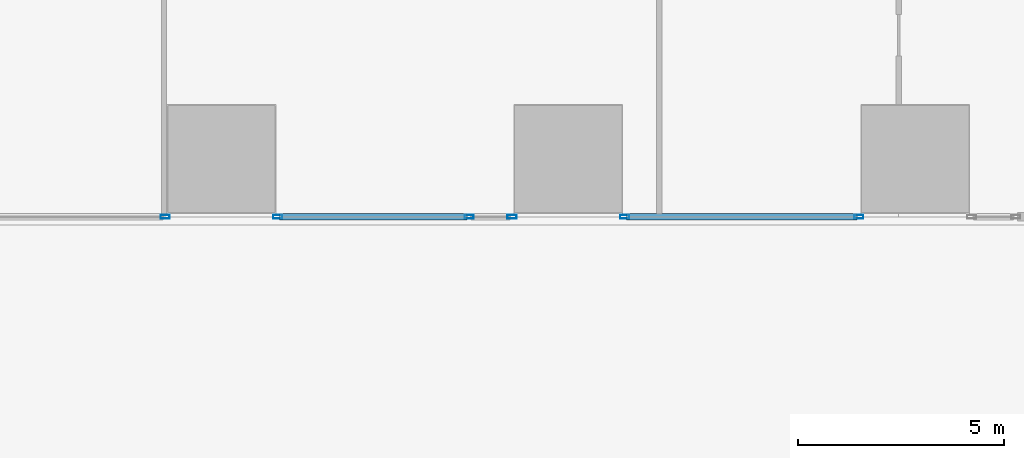
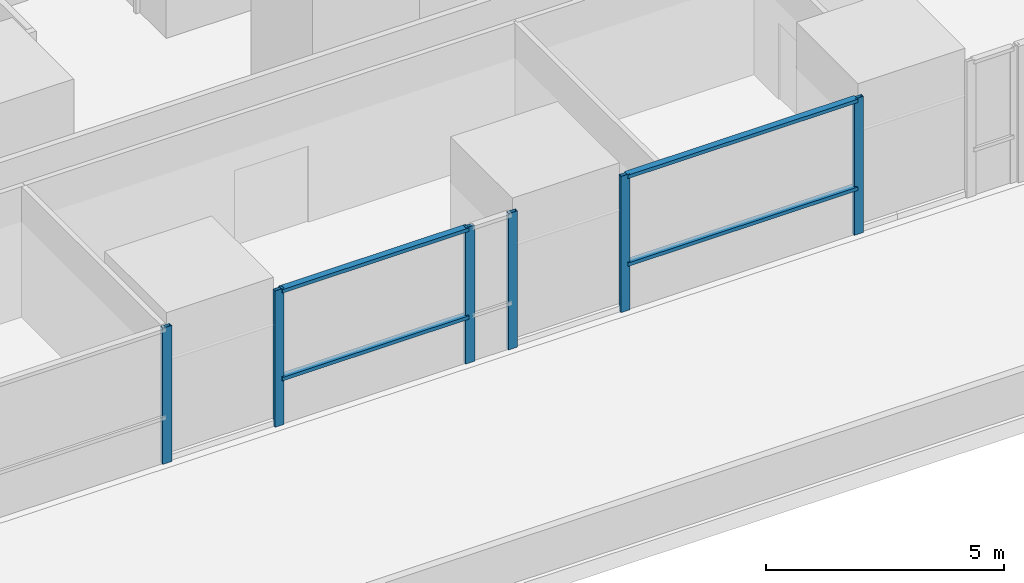
# One storey, part 5 of 35: 10 members, 4 elements without a shape of their own.
"""IFC4 building model written with IfcOpenShell, lengths in metres."""

from ifc_helpers import new_model, si_unit, direction, frame, origin, origin_2d, place, context, subcontext, project, spatial, hollow_rectangle, extrude, material, material_profile, profile_set, type_object, element, aggregate, save


model = new_model("IFC4")

# Units and contexts
model_context = context("Model", 3, precision=1e-05, world=origin(), true_north=direction((0.0, 1.0)))
body_context = subcontext(model_context, "Body", "Model", "MODEL_VIEW")
ifc_project = project(units=[si_unit("LENGTHUNIT", "METRE"), si_unit("AREAUNIT", "SQUARE_METRE"), si_unit("VOLUMEUNIT", "CUBIC_METRE"), si_unit("PLANEANGLEUNIT", "RADIAN"), si_unit("MASSUNIT", "GRAM", prefix="KILO")], contexts=[model_context])

# Site, building, storey
site_placement = place(None, origin())
site = spatial("IfcSite", under=ifc_project, at=site_placement, CompositionType="ELEMENT")
building_placement = place(site_placement, origin())
building = spatial("IfcBuilding", under=site, at=building_placement, Name="Rekha Terrace Tower", CompositionType="ELEMENT")
storey_placement = place(building_placement, frame((0.0, 0.0, 25.39990234375)))
storey = spatial("IfcBuildingStorey", under=building, at=storey_placement, Name="L05", CompositionType="ELEMENT", Elevation=25.39990234375)

# Curtain wall, member
ifc_material_1 = material(Name="Aluminium framing", Category="aluminium")
curtain_wall_type = type_object("IfcCurtainWallType", Name="CW5 sky garden glazing", PredefinedType="USERDEFINED", material=ifc_material_1)
curtain_wall_1_placement = place(storey_placement, origin())
curtain_wall_1 = element("IfcCurtainWall", 1, at=curtain_wall_1_placement, inside=storey, type_object=curtain_wall_type, Name="CW5 sky garden curtain wall", ObjectType="SKY GARDEN CURTAIN WALL", PredefinedType="USERDEFINED")
ifc_material_2 = material(Name="Aluminium mullion section", Category="aluminium")
ifc_material_profile_1 = material_profile(ifc_material_2, hollow_rectangle(XDim=0.090087890625, YDim=0.219970703125, WallThickness=0.00390625, at=origin_2d()), Name="AL RHS 90x220")
ifc_profile_set_1 = profile_set([ifc_material_profile_1], Name="Aluminium mullion section")
member_type_1 = type_object("IfcMemberType", Name="CW5 mullion RHS 90 x 220", PredefinedType="MULLION", material=ifc_profile_set_1)
member_1_placement = place(storey_placement, frame((32.235107421875, 7.0, 0.0), z_axis=(0.0, 0.0, 1.0), x_axis=(0.0, 1.0, 0.0)))
member_1 = element("IfcMember", 2, at=member_1_placement, type_object=member_type_1, Name="CW5 mullion 2", PredefinedType="MULLION", context=body_context, shape_type="SweptSolid", body=[
    extrude(hollow_rectangle(XDim=0.090087890625, YDim=0.219970703125, WallThickness=0.00390625, at=origin_2d()), origin(), (0.0, 0.0, 1.0), 3.5),
])
aggregate(curtain_wall_1, [member_1])

curtain_wall_2_placement = place(storey_placement, origin())
curtain_wall_2 = element("IfcCurtainWall", 3, at=curtain_wall_2_placement, inside=storey, type_object=curtain_wall_type, Name="CW5 sky garden curtain wall", ObjectType="SKY GARDEN CURTAIN WALL", PredefinedType="USERDEFINED")
member_2_placement = place(storey_placement, frame((34.965087890625, 7.0, 0.0), z_axis=(0.0, 0.0, 1.0), x_axis=(0.0, 1.0, 0.0)))
member_2 = element("IfcMember", 4, at=member_2_placement, type_object=member_type_1, Name="CW5 mullion 1", PredefinedType="MULLION", context=body_context, shape_type="SweptSolid", body=[
    extrude(hollow_rectangle(XDim=0.090087890625, YDim=0.219970703125, WallThickness=0.00390625, at=origin_2d()), origin(), (0.0, 0.0, 1.0), 3.5),
])

# Curtain wall, members
curtain_wall_3_placement = place(storey_placement, origin())
curtain_wall_3 = element("IfcCurtainWall", 5, at=curtain_wall_3_placement, inside=storey, type_object=curtain_wall_type, Name="CW5 sky garden curtain wall", ObjectType="SKY GARDEN CURTAIN WALL", PredefinedType="USERDEFINED")
member_3_placement = place(storey_placement, frame((39.594970703125, 7.0, 0.0), z_axis=(0.0, 0.0, 1.0), x_axis=(0.0, 1.0, 0.0)))
member_3 = element("IfcMember", 6, at=member_3_placement, type_object=member_type_1, Name="CW5 mullion 1", PredefinedType="MULLION", context=body_context, shape_type="SweptSolid", body=[
    extrude(hollow_rectangle(XDim=0.090087890625, YDim=0.219970703125, WallThickness=0.00390625, at=origin_2d()), origin(), (0.0, 0.0, 1.0), 3.5),
])
member_4_placement = place(storey_placement, frame((40.635009765625, 7.0, 0.0), z_axis=(0.0, 0.0, 1.0), x_axis=(0.0, 1.0, 0.0)))
member_4 = element("IfcMember", 7, at=member_4_placement, type_object=member_type_1, Name="CW5 mullion 2", PredefinedType="MULLION", context=body_context, shape_type="SweptSolid", body=[
    extrude(hollow_rectangle(XDim=0.090087890625, YDim=0.219970703125, WallThickness=0.00390625, at=origin_2d()), origin(), (0.0, 0.0, 1.0), 3.5),
])
aggregate(curtain_wall_3, [member_3, member_4])

curtain_wall_4_placement = place(storey_placement, origin())
curtain_wall_4 = element("IfcCurtainWall", 8, at=curtain_wall_4_placement, inside=storey, type_object=curtain_wall_type, Name="CW5 sky garden curtain wall", ObjectType="SKY GARDEN CURTAIN WALL", PredefinedType="USERDEFINED")
member_5_placement = place(storey_placement, frame((43.364990234375, 7.0, 0.0), z_axis=(0.0, 0.0, 1.0), x_axis=(0.0, 1.0, 0.0)))
member_5 = element("IfcMember", 9, at=member_5_placement, type_object=member_type_1, Name="CW5 mullion 1", PredefinedType="MULLION", context=body_context, shape_type="SweptSolid", body=[
    extrude(hollow_rectangle(XDim=0.090087890625, YDim=0.219970703125, WallThickness=0.00390625, at=origin_2d()), origin(), (0.0, 0.0, 1.0), 3.5),
])
member_6_placement = place(storey_placement, frame((49.034912109375, 7.0, 0.0), z_axis=(0.0, 0.0, 1.0), x_axis=(0.0, 1.0, 0.0)))
member_6 = element("IfcMember", 10, at=member_6_placement, type_object=member_type_1, Name="CW5 mullion 2", PredefinedType="MULLION", context=body_context, shape_type="SweptSolid", body=[
    extrude(hollow_rectangle(XDim=0.090087890625, YDim=0.219970703125, WallThickness=0.00390625, at=origin_2d()), origin(), (0.0, 0.0, 1.0), 3.5),
])

# Member
ifc_material_3 = material(Name="Aluminium transom section", Category="aluminium")
ifc_material_profile_2 = material_profile(ifc_material_3, hollow_rectangle(XDim=0.159912109375, YDim=0.090087890625, WallThickness=0.0029296875, at=origin_2d()), Name="AL RHS 160x90")
ifc_profile_set_2 = profile_set([ifc_material_profile_2], Name="Aluminium transom section")
member_type_2 = type_object("IfcMemberType", Name="CW5 transom RHS 90 x 160", PredefinedType="USERDEFINED", material=ifc_profile_set_2)
member_7_placement = place(storey_placement, frame((35.010009765625, 7.0, 1.2001953125), z_axis=(1.0, 0.0, 0.0), x_axis=(0.0, 1.0, 0.0)))
member_7 = element("IfcMember", 11, at=member_7_placement, type_object=member_type_2, Name="CW5 transom 1.2", ObjectType="TRANSOM", PredefinedType="USERDEFINED", context=body_context, shape_type="SweptSolid", body=[
    extrude(hollow_rectangle(XDim=0.159912109375, YDim=0.090087890625, WallThickness=0.0029296875, at=origin_2d()), origin(), (0.0, 0.0, 1.0), 4.5400390625),
])

member_8_placement = place(storey_placement, frame((35.010009765625, 7.0, 3.455078125), z_axis=(1.0, 0.0, 0.0), x_axis=(0.0, 1.0, 0.0)))
member_8 = element("IfcMember", 12, at=member_8_placement, type_object=member_type_2, Name="CW5 transom 1.3", ObjectType="TRANSOM", PredefinedType="USERDEFINED", context=body_context, shape_type="SweptSolid", body=[
    extrude(hollow_rectangle(XDim=0.159912109375, YDim=0.090087890625, WallThickness=0.0029296875, at=origin_2d()), origin(), (0.0, 0.0, 1.0), 4.5400390625),
])

aggregate(curtain_wall_2, [member_2, member_7, member_8])

member_9_placement = place(storey_placement, frame((43.409912109375, 7.0, 1.2001953125), z_axis=(1.0, 0.0, 0.0), x_axis=(0.0, 1.0, 0.0)))
member_9 = element("IfcMember", 13, at=member_9_placement, type_object=member_type_2, Name="CW5 transom 1.2", ObjectType="TRANSOM", PredefinedType="USERDEFINED", context=body_context, shape_type="SweptSolid", body=[
    extrude(hollow_rectangle(XDim=0.159912109375, YDim=0.090087890625, WallThickness=0.0029296875, at=origin_2d()), origin(), (0.0, 0.0, 1.0), 5.580078125),
])

member_10_placement = place(storey_placement, frame((43.409912109375, 7.0, 3.455078125), z_axis=(1.0, 0.0, 0.0), x_axis=(0.0, 1.0, 0.0)))
member_10 = element("IfcMember", 14, at=member_10_placement, type_object=member_type_2, Name="CW5 transom 1.3", ObjectType="TRANSOM", PredefinedType="USERDEFINED", context=body_context, shape_type="SweptSolid", body=[
    extrude(hollow_rectangle(XDim=0.159912109375, YDim=0.090087890625, WallThickness=0.0029296875, at=origin_2d()), origin(), (0.0, 0.0, 1.0), 5.580078125),
])

aggregate(curtain_wall_4, [member_5, member_6, member_9, member_10])

save(model, "model.ifc")
